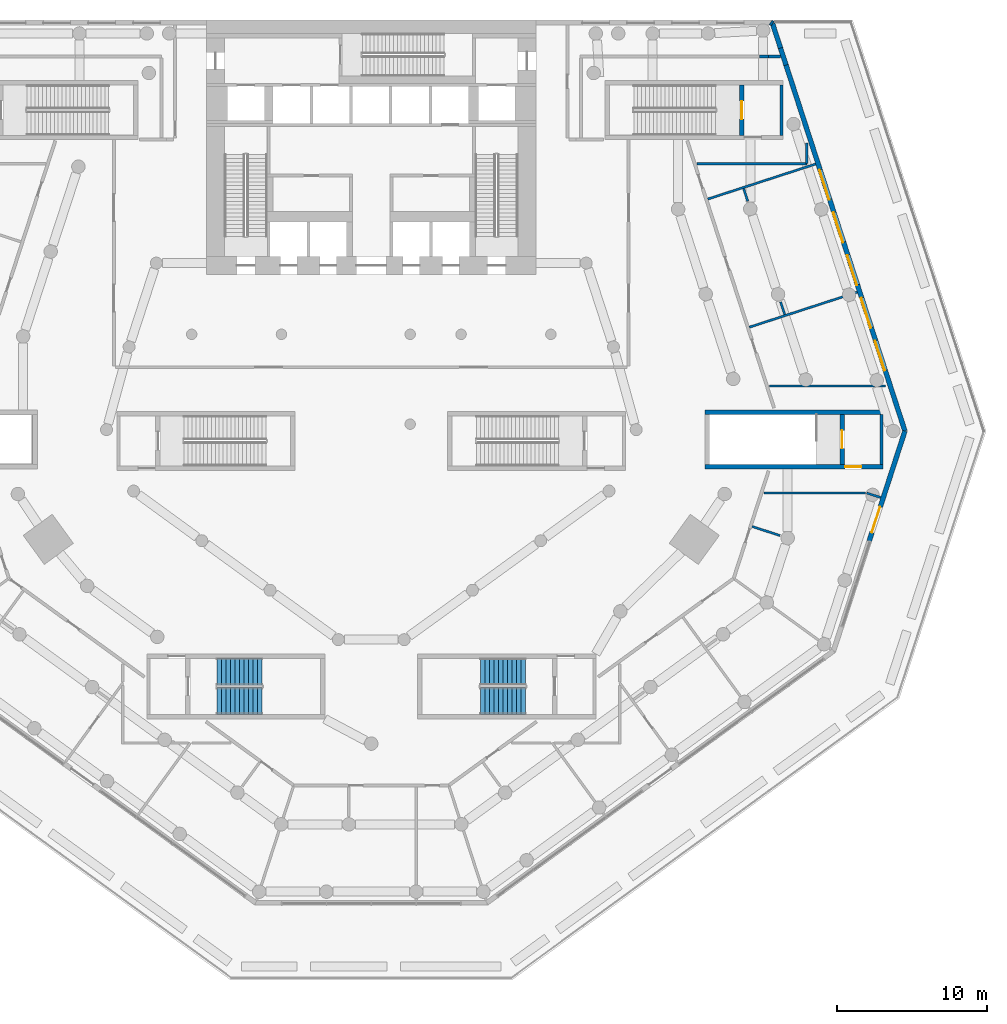
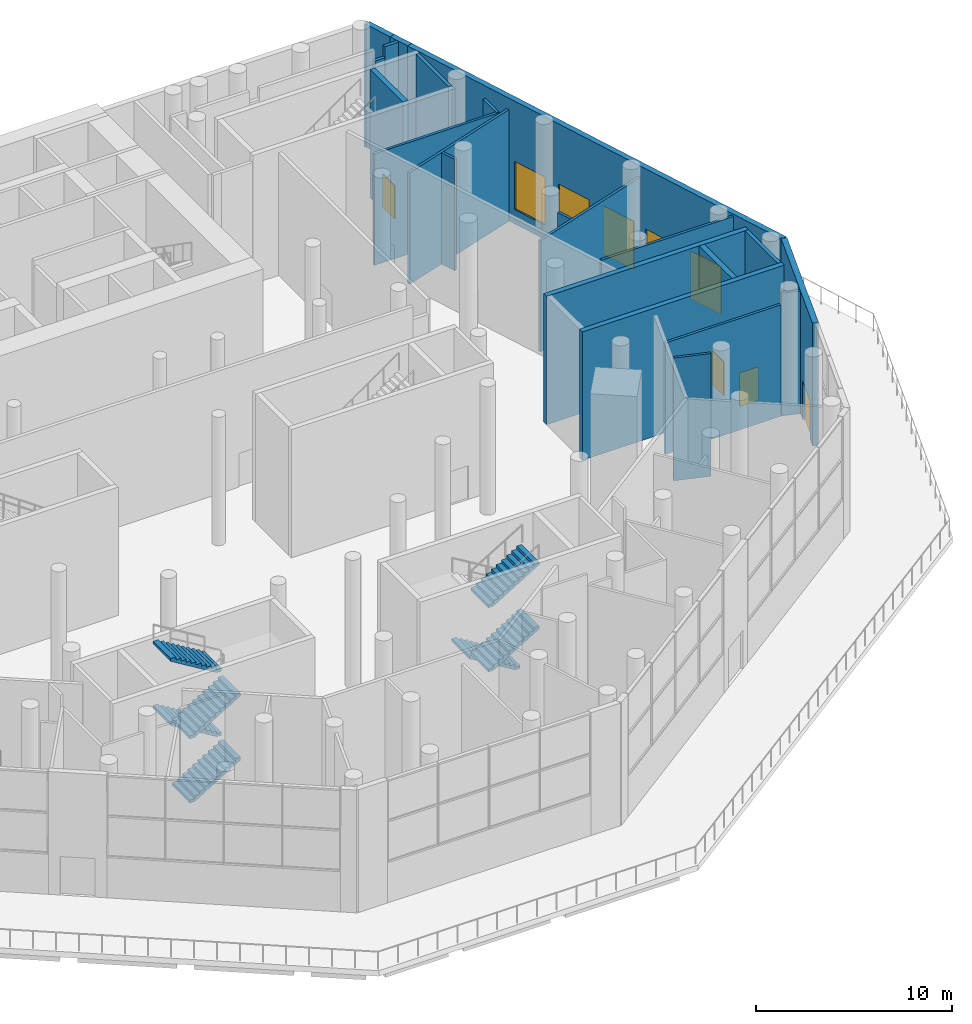
# One storey, part 16 of 23: 23 walls, 7 stair flights, 5 windows, 4 doors, 9 openings, 2 elements without a shape of their own.
"""IFC4 building model written with IfcOpenShell, lengths in metres."""

from ifc_helpers import new_model, si_unit, direction, frame, frame_2d, origin, place, context, subcontext, project, spatial, polyline, rectangle, outline, extrude, material, layer, layer_set, type_object, element, fill, aggregate, save


model = new_model("IFC4")

# Units and contexts
model_context = context("Model", 3, precision=1e-05, world=origin(), true_north=direction((0.0, 1.0)))
body_context = subcontext(model_context, "Body", "Model", "MODEL_VIEW")
ifc_project = project(units=[si_unit("LENGTHUNIT", "METRE"), si_unit("AREAUNIT", "SQUARE_METRE"), si_unit("VOLUMEUNIT", "CUBIC_METRE"), si_unit("PLANEANGLEUNIT", "RADIAN"), si_unit("MASSUNIT", "GRAM", prefix="KILO")], contexts=[model_context])

# Site, building, storey
site_placement = place(None, origin())
site = spatial("IfcSite", under=ifc_project, at=site_placement, CompositionType="ELEMENT")
building_placement = place(site_placement, origin())
building = spatial("IfcBuilding", under=site, at=building_placement, Name="White Candle Pilgrim Tower", CompositionType="ELEMENT")
storey_placement = place(building_placement, frame((0.0, 0.0, 15.0)))
storey = spatial("IfcBuildingStorey", under=building, at=storey_placement, Name="L02", CompositionType="ELEMENT", Elevation=15.0)

# Walls
ifc_material_1 = material(Name="Autoclaved aerated block D500, plastered")
ifc_layer_1 = layer(ifc_material_1, 0.199951171875)
ifc_layer_set_1 = layer_set([ifc_layer_1], Name="Compartment wall 200 mm REI 240")
wall_type_1 = type_object("IfcWallType", Name="Compartment wall 200 mm REI 240", PredefinedType="PARTITIONING", material=ifc_layer_set_1)
wall_1_placement = place(storey_placement, frame((97.326904296875, 85.550048828125, 0.0), z_axis=(0.0, 0.0, 1.0), x_axis=(-1.0, 0.0, 0.0)))
element("IfcWall", 1, at=wall_1_placement, inside=storey, type_object=wall_type_1, Name="WL-L02-P056", PredefinedType="PARTITIONING", context=body_context, shape_type="SweptSolid", body=[
    extrude(rectangle(XDim=0.79931640625, YDim=0.199951171875, at=frame_2d((0.399658203125, 0.0))), origin(), (0.0, 0.0, 1.0), 7.64990234375),
])
wall_2_placement = place(storey_placement, frame((96.527587890625, 85.550048828125, 0.0), z_axis=(0.0, 0.0, 1.0), x_axis=(-1.0, 0.0, 0.0)))
element("IfcWall", 2, at=wall_2_placement, inside=storey, type_object=wall_type_1, Name="WL-L02-P056a", PredefinedType="PARTITIONING", context=body_context, shape_type="SweptSolid", body=[
    extrude(rectangle(XDim=0.599365234375, YDim=0.199951171875, at=frame_2d((0.2998046875, 0.0))), origin(), (0.0, 0.0, 1.0), 6.949951171875),
])
ifc_material_2 = material(Name="Concrete C70/85", Category="concrete")
ifc_layer_2 = layer(ifc_material_2, 0.199951171875)
ifc_layer_set_2 = layer_set([ifc_layer_2], Name="Core wall 200 mm Concrete C70/85")
wall_type_2 = type_object("IfcWallType", Name="Core wall 200 mm Concrete C70/85", PredefinedType="SHEAR", material=ifc_layer_set_2)
for number, where, z_axis, x_axis, name in (
    (3, (104.10009765625, 58.300048828125, 0.0), (0.0, 0.0, 1.0), (0.0, 1.0, 0.0), "WL-L02-C26"),
    (4, (97.39990234375, 80.300048828125, 0.0), (0.0, 0.0, 1.0), (0.0, 1.0, 0.0), "WL-L02-C57"),
):
    element("IfcWall", number, at=place(storey_placement, frame(where, z_axis=z_axis, x_axis=x_axis)), inside=storey, type_object=wall_type_2, Name=name, PredefinedType="SHEAR", context=body_context, shape_type="SweptSolid", body=[
        extrude(rectangle(XDim=3.349853515625, YDim=0.199951171875, at=frame_2d((1.6748046875, 0.0))), origin(), (0.0, 0.0, 1.0), 8.0),
    ])

# Wall, opening, door
ifc_material_3 = material(Name="Precast concrete C40/50", Category="concrete")
ifc_layer_3 = layer(ifc_material_3, 0.320068359375)
ifc_layer_set_3 = layer_set([ifc_layer_3], Name="Facade wall EW3 precast concrete C40/50 and stone-faced podium wall")
wall_type_3 = type_object("IfcWallType", Name="Facade wall EW3 precast concrete C40/50 and stone-faced podium wall", PredefinedType="SOLIDWALL", material=ifc_layer_set_3)
wall_3_placement = place(storey_placement, frame((103.266845703125, 53.19091796875, 0.0), z_axis=(0.0, 0.0, 1.0), x_axis=(0.309033199321, 0.951051250836, 0.0)))
wall_3 = element("IfcWall", 5, at=wall_3_placement, inside=storey, type_object=wall_type_3, Name="Facade wall L02 E chamfer", PredefinedType="SOLIDWALL", context=body_context, shape_type="SweptSolid", body=[
    extrude(rectangle(XDim=7.726318359375, YDim=0.320068359375, at=frame_2d((3.86328125, 0.0))), origin(), (0.0, 0.0, 1.0), 7.64990234375),
])
opening_1_placement = place(wall_3_placement, frame((0.60009765625, 0.0, 0.0)))
opening_1 = element("IfcOpeningElement", 6, at=opening_1_placement, cuts=wall_3, Name="Opening L02-923", PredefinedType="OPENING", context=body_context, shape_type="SweptSolid", body=[
    extrude(rectangle(XDim=1.800048828125, YDim=2.39990234375, at=frame_2d((0.89990234375, 1.199951171875))), frame((0.0, 0.169921875, 0.0), z_axis=(0.0, -1.0, 0.0), x_axis=(1.0, 0.0, 0.0)), (0.0, 0.0, 1.0), 0.340087890625),
])
ifc_material_4 = material(Name="Timber frame with laminated glazing", Category="wood")
door_type_1 = type_object("IfcDoorType", Name="Terrace door EN4 1800x2400 double leaf glazed", OperationType="DOUBLE_DOOR_DOUBLE_SWING", PredefinedType="DOOR", material=ifc_material_4)
door_1_placement = place(opening_1_placement, origin())
door_1 = element("IfcDoor", 7, at=door_1_placement, inside=storey, type_object=door_type_1, Name="Door L02 E chamfer 3", OperationType="DOUBLE_DOOR_DOUBLE_SWING", OverallHeight=2.39990234375, OverallWidth=1.800048828125, PredefinedType="DOOR", context=body_context, shape_type="SweptSolid", body=[
    extrude(rectangle(XDim=1.800048828125, YDim=2.39990234375, at=frame_2d((0.89990234375, 1.199951171875))), frame((0.0, 0.0400390625, 0.0), z_axis=(0.0, -1.0, 0.0), x_axis=(1.0, 0.0, 0.0)), (0.0, 0.0, 1.0), 0.050048828125),
])
fill(opening_1, door_1)

# Wall, openings, windows
wall_4_placement = place(storey_placement, frame((105.654541015625, 60.5390625, 0.0), z_axis=(0.0, 0.0, 1.0), x_axis=(-0.309020996945, 0.951055215772, 0.0)))
wall_4 = element("IfcWall", 8, at=wall_4_placement, inside=storey, type_object=wall_type_3, Name="Facade wall L02 ENE", PredefinedType="SOLIDWALL", context=body_context, shape_type="SweptSolid", body=[
    extrude(rectangle(XDim=25.7041015625, YDim=0.320068359375, at=frame_2d((12.85205078125, 0.0))), origin(), (0.0, 0.0, 1.0), 7.64990234375),
])
opening_2_placement = place(wall_4_placement, frame((4.25927734375, 0.0, 0.89990234375)))
opening_2 = element("IfcOpeningElement", 9, at=opening_2_placement, cuts=wall_4, Name="Opening W7", PredefinedType="OPENING", context=body_context, shape_type="SweptSolid", body=[
    extrude(rectangle(XDim=2.10009765625, YDim=3.0, at=frame_2d((1.050048828125, 1.5))), frame((0.0, 0.169921875, 0.0), z_axis=(0.0, -1.0, 0.0), x_axis=(1.0, 0.0, 0.0)), (0.0, 0.0, 1.0), 0.340087890625),
])
opening_3_placement = place(wall_4_placement, frame((7.25927734375, 0.0, 0.89990234375)))
opening_3 = element("IfcOpeningElement", 10, at=opening_3_placement, cuts=wall_4, Name="Opening W7", PredefinedType="OPENING", context=body_context, shape_type="SweptSolid", body=[
    extrude(rectangle(XDim=2.10009765625, YDim=3.0, at=frame_2d((1.050048828125, 1.5))), frame((0.0, 0.169921875, 0.0), z_axis=(0.0, -1.0, 0.0), x_axis=(1.0, 0.0, 0.0)), (0.0, 0.0, 1.0), 0.340087890625),
])
opening_4_placement = place(wall_4_placement, frame((10.25927734375, 0.0, 0.89990234375)))
opening_4 = element("IfcOpeningElement", 11, at=opening_4_placement, cuts=wall_4, Name="Opening W7", PredefinedType="OPENING", context=body_context, shape_type="SweptSolid", body=[
    extrude(rectangle(XDim=2.10009765625, YDim=3.0, at=frame_2d((1.050048828125, 1.5))), frame((0.0, 0.169921875, 0.0), z_axis=(0.0, -1.0, 0.0), x_axis=(1.0, 0.0, 0.0)), (0.0, 0.0, 1.0), 0.340087890625),
])
opening_5_placement = place(wall_4_placement, frame((13.25927734375, 0.0, 0.89990234375)))
opening_5 = element("IfcOpeningElement", 12, at=opening_5_placement, cuts=wall_4, Name="Opening W7", PredefinedType="OPENING", context=body_context, shape_type="SweptSolid", body=[
    extrude(rectangle(XDim=2.10009765625, YDim=3.0, at=frame_2d((1.050048828125, 1.5))), frame((0.0, 0.169921875, 0.0), z_axis=(0.0, -1.0, 0.0), x_axis=(1.0, 0.0, 0.0)), (0.0, 0.0, 1.0), 0.340087890625),
])
opening_6_placement = place(wall_4_placement, frame((16.25927734375, 0.0, 0.89990234375)))
opening_6 = element("IfcOpeningElement", 13, at=opening_6_placement, cuts=wall_4, Name="Opening W7", PredefinedType="OPENING", context=body_context, shape_type="SweptSolid", body=[
    extrude(rectangle(XDim=2.10009765625, YDim=3.0, at=frame_2d((1.050048828125, 1.5))), frame((0.0, 0.169921875, 0.0), z_axis=(0.0, -1.0, 0.0), x_axis=(1.0, 0.0, 0.0)), (0.0, 0.0, 1.0), 0.340087890625),
])
ifc_material_5 = material(Name="Timber frame with triple glazing", Category="wood")
window_type = type_object("IfcWindowType", Name="Window W7 2100x3000 timber frame triple glazing", PartitioningType="SINGLE_PANEL", PredefinedType="WINDOW", material=ifc_material_5)
window_1_placement = place(opening_2_placement, origin())
window_1 = element("IfcWindow", 14, at=window_1_placement, inside=storey, type_object=window_type, Name="Window W7 L02 ENE 2", OverallHeight=3.0, OverallWidth=2.10009765625, PartitioningType="SINGLE_PANEL", PredefinedType="WINDOW", context=body_context, shape_type="SweptSolid", body=[
    extrude(rectangle(XDim=2.10009765625, YDim=3.0, at=frame_2d((1.050048828125, 1.5))), frame((0.0, 0.070068359375, 0.0), z_axis=(0.0, -1.0, 0.0), x_axis=(1.0, 0.0, 0.0)), (0.0, 0.0, 1.0), 0.06005859375),
])
fill(opening_2, window_1)
window_2_placement = place(opening_3_placement, origin())
window_2 = element("IfcWindow", 15, at=window_2_placement, inside=storey, type_object=window_type, Name="Window W7 L02 ENE 3", OverallHeight=3.0, OverallWidth=2.10009765625, PartitioningType="SINGLE_PANEL", PredefinedType="WINDOW", context=body_context, shape_type="SweptSolid", body=[
    extrude(rectangle(XDim=2.10009765625, YDim=3.0, at=frame_2d((1.050048828125, 1.5))), frame((0.0, 0.070068359375, 0.0), z_axis=(0.0, -1.0, 0.0), x_axis=(1.0, 0.0, 0.0)), (0.0, 0.0, 1.0), 0.06005859375),
])
fill(opening_3, window_2)
window_3_placement = place(opening_4_placement, origin())
window_3 = element("IfcWindow", 16, at=window_3_placement, inside=storey, type_object=window_type, Name="Window W7 L02 ENE 4", OverallHeight=3.0, OverallWidth=2.10009765625, PartitioningType="SINGLE_PANEL", PredefinedType="WINDOW", context=body_context, shape_type="SweptSolid", body=[
    extrude(rectangle(XDim=2.10009765625, YDim=3.0, at=frame_2d((1.050048828125, 1.5))), frame((0.0, 0.070068359375, 0.0), z_axis=(0.0, -1.0, 0.0), x_axis=(1.0, 0.0, 0.0)), (0.0, 0.0, 1.0), 0.06005859375),
])
fill(opening_4, window_3)
window_4_placement = place(opening_5_placement, origin())
window_4 = element("IfcWindow", 17, at=window_4_placement, inside=storey, type_object=window_type, Name="Window W7 L02 ENE 5", OverallHeight=3.0, OverallWidth=2.10009765625, PartitioningType="SINGLE_PANEL", PredefinedType="WINDOW", context=body_context, shape_type="SweptSolid", body=[
    extrude(rectangle(XDim=2.10009765625, YDim=3.0, at=frame_2d((1.050048828125, 1.5))), frame((0.0, 0.070068359375, 0.0), z_axis=(0.0, -1.0, 0.0), x_axis=(1.0, 0.0, 0.0)), (0.0, 0.0, 1.0), 0.06005859375),
])
fill(opening_5, window_4)
window_5_placement = place(opening_6_placement, origin())
window_5 = element("IfcWindow", 18, at=window_5_placement, inside=storey, type_object=window_type, Name="Window W7 L02 ENE 6", OverallHeight=3.0, OverallWidth=2.10009765625, PartitioningType="SINGLE_PANEL", PredefinedType="WINDOW", context=body_context, shape_type="SweptSolid", body=[
    extrude(rectangle(XDim=2.10009765625, YDim=3.0, at=frame_2d((1.050048828125, 1.5))), frame((0.0, 0.070068359375, 0.0), z_axis=(0.0, -1.0, 0.0), x_axis=(1.0, 0.0, 0.0)), (0.0, 0.0, 1.0), 0.06005859375),
])
fill(opening_6, window_5)

# Walls
wall_5_placement = place(storey_placement, frame((97.3408203125, 86.12646484375, 0.0), z_axis=(0.0, 0.0, 1.0), x_axis=(-0.309127927673, 0.951020464729, 0.0)))
element("IfcWall", 19, at=wall_5_placement, inside=storey, type_object=wall_type_3, Name="Facade wall L02 ENE", PredefinedType="SOLIDWALL", context=body_context, shape_type="SweptSolid", body=[
    extrude(rectangle(XDim=1.714599609375, YDim=0.320068359375, at=frame_2d((0.857421875, 0.0))), origin(), (0.0, 0.0, 1.0), 7.64990234375),
])
wall_6_placement = place(storey_placement, frame((96.810791015625, 87.757080078125, 0.0), z_axis=(0.0, 0.0, 1.0), x_axis=(-0.808436541228, 0.588583349074, 0.0)))
element("IfcWall", 20, at=wall_6_placement, inside=storey, type_object=wall_type_3, Name="Facade wall L02 NE chamfer", PredefinedType="SOLIDWALL", context=body_context, shape_type="SweptSolid", body=[
    extrude(rectangle(XDim=0.14111328125, YDim=0.320068359375, at=frame_2d((0.070556640625, 0.0))), origin(), (0.0, 0.0, 1.0), 7.64990234375),
])
ifc_layer_4 = layer(ifc_material_3, 0.320068359375)
ifc_layer_set_4 = layer_set([ifc_layer_4], Name="Facade wall EW9 precast concrete C40/50 compartment junction wall EI 120")
wall_type_4 = type_object("IfcWallType", Name="Facade wall EW9 precast concrete C40/50 compartment junction wall EI 120", PredefinedType="SOLIDWALL", material=ifc_layer_set_4)
wall_7_placement = place(storey_placement, frame((97.71142578125, 84.985107421875, 0.0), z_axis=(0.0, 0.0, 1.0), x_axis=(-0.308833046066, 0.951116265058, 0.0)))
element("IfcWall", 21, at=wall_7_placement, inside=storey, type_object=wall_type_4, Name="Facade wall L02 ENE", PredefinedType="SOLIDWALL", context=body_context, shape_type="SweptSolid", body=[
    extrude(rectangle(XDim=1.199951171875, YDim=0.320068359375, at=frame_2d((0.60009765625, 0.0))), origin(), (0.0, 0.0, 1.0), 7.64990234375),
])
ifc_material_6 = material(Name="Gypsum board on steel studs", Category="steel")
ifc_layer_5 = layer(ifc_material_6, 0.14990234375)
ifc_layer_set_5 = layer_set([ifc_layer_5], Name="Partition 150 mm EI 60")
wall_type_5 = type_object("IfcWallType", Name="Partition 150 mm EI 60", PredefinedType="PARTITIONING", material=ifc_layer_set_5)
wall_8_placement = place(storey_placement, frame((104.041748046875, 56.093505859375, 0.0), z_axis=(0.0, 0.0, 1.0), x_axis=(-0.951068438916, 0.308980297913, 0.0)))
element("IfcWall", 22, at=wall_8_placement, inside=storey, type_object=wall_type_5, Name="WL-L02-P028", PredefinedType="PARTITIONING", context=body_context, shape_type="SweptSolid", body=[
    extrude(rectangle(XDim=0.99169921875, YDim=0.14990234375, at=frame_2d((0.495849609375, 0.0))), origin(), (0.0, 0.0, 1.0), 7.64990234375),
])
for number, where, z_axis, x_axis, name in (
    (23, (102.47119140625, 69.81884765625, 0.0), (0.0, 0.0, 1.0), (-0.951058681979, -0.309010329007, 0.0), "WL-L02-P029"),
    (24, (99.68994140625, 78.37841796875, 0.0), (0.0, 0.0, 1.0), (-0.951058681979, -0.309010329007, 0.0), "WL-L02-P030"),
):
    element("IfcWall", number, at=place(storey_placement, frame(where, z_axis=z_axis, x_axis=x_axis)), inside=storey, type_object=wall_type_5, Name=name, PredefinedType="PARTITIONING", context=body_context, shape_type="SweptSolid", body=[
        extrude(rectangle(XDim=7.580078125, YDim=0.14990234375, at=frame_2d((3.7900390625, 0.0))), origin(), (0.0, 0.0, 1.0), 6.949951171875),
    ])
wall_9_placement = place(storey_placement, frame((97.307861328125, 53.55517578125, 0.0), z_axis=(0.0, 0.0, 1.0), x_axis=(-0.951047798727, 0.309043823005, 0.0)))
element("IfcWall", 25, at=wall_9_placement, inside=storey, type_object=wall_type_5, Name="WL-L02-P041", PredefinedType="PARTITIONING", context=body_context, shape_type="SweptSolid", body=[
    extrude(rectangle(XDim=1.9599609375, YDim=0.14990234375, at=frame_2d((0.97998046875, 0.0))), origin(), (0.0, 0.0, 1.0), 7.64990234375),
])
wall_10_placement = place(storey_placement, frame((97.34716796875, 69.163818359375, 0.0), z_axis=(0.0, 0.0, 1.0), x_axis=(0.309104777097, -0.951027989481, 0.0)))
element("IfcWall", 26, at=wall_10_placement, inside=storey, type_object=wall_type_5, Name="WL-L02-P042", PredefinedType="PARTITIONING", context=body_context, shape_type="SweptSolid", body=[
    extrude(rectangle(XDim=0.885498046875, YDim=0.14990234375, at=frame_2d((0.44287109375, 0.0))), origin(), (0.0, 0.0, 1.0), 6.949951171875),
])
wall_11_placement = place(storey_placement, frame((95.15087890625, 75.89404296875, 0.0), z_axis=(0.0, 0.0, 1.0), x_axis=(-0.308936377944, 0.951082706384, 0.0)))
element("IfcWall", 27, at=wall_11_placement, inside=storey, type_object=wall_type_5, Name="WL-L02-P043", PredefinedType="PARTITIONING", context=body_context, shape_type="SweptSolid", body=[
    extrude(rectangle(XDim=0.885009765625, YDim=0.14990234375, at=frame_2d((0.4423828125, 0.0))), origin(), (0.0, 0.0, 1.0), 6.949951171875),
])
wall_12_placement = place(storey_placement, frame((99.10009765625, 78.39990234375, 0.0), z_axis=(0.0, 0.0, 1.0), x_axis=(0.0, 1.0, 0.0)))
element("IfcWall", 28, at=wall_12_placement, inside=storey, type_object=wall_type_5, Name="WL-L02-P058", PredefinedType="PARTITIONING", context=body_context, shape_type="SweptSolid", body=[
    extrude(rectangle(XDim=1.37353515625, YDim=0.14990234375, at=frame_2d((0.686767578125, 0.0))), origin(), (0.0, 0.0, 1.0), 6.949951171875),
])
wall_13_placement = place(storey_placement, frame((91.77587890625, 78.39990234375, 0.0), z_axis=(0.0, 0.0, 1.0), x_axis=(1.0, 0.0, 0.0)))
element("IfcWall", 29, at=wall_13_placement, inside=storey, type_object=wall_type_5, Name="WL-L02-P059", PredefinedType="PARTITIONING", context=body_context, shape_type="SweptSolid", body=[
    extrude(rectangle(XDim=7.32421875, YDim=0.14990234375, at=frame_2d((3.662109375, 0.0))), origin(), (0.0, 0.0, 1.0), 6.949951171875),
])
wall_14_placement = place(storey_placement, frame((104.371337890625, 63.550048828125, 0.0), z_axis=(0.0, 0.0, 1.0), x_axis=(-1.0, 0.0, 0.0)))
element("IfcWall", 30, at=wall_14_placement, inside=storey, type_object=wall_type_5, Name="WL-L02-P060", PredefinedType="PARTITIONING", context=body_context, shape_type="SweptSolid", body=[
    extrude(rectangle(XDim=7.770263671875, YDim=0.14990234375, at=frame_2d((3.88525390625, 0.0))), origin(), (0.0, 0.0, 1.0), 7.64990234375),
])
wall_15_placement = place(storey_placement, frame((96.234375, 56.39990234375, 0.0), z_axis=(0.0, 0.0, 1.0), x_axis=(1.0, 0.0, 0.0)))
element("IfcWall", 31, at=wall_15_placement, inside=storey, type_object=wall_type_5, Name="WL-L02-P061", PredefinedType="PARTITIONING", context=body_context, shape_type="SweptSolid", body=[
    extrude(rectangle(XDim=6.801025390625, YDim=0.14990234375, at=frame_2d((3.400390625, 0.0))), origin(), (0.0, 0.0, 1.0), 6.949951171875),
])

# Wall, opening, door
ifc_layer_6 = layer(ifc_material_2, 0.300048828125)
ifc_layer_set_6 = layer_set([ifc_layer_6], Name="Stair shaft wall 300 mm Concrete C70/85")
wall_type_6 = type_object("IfcWallType", Name="Stair shaft wall 300 mm Concrete C70/85", PredefinedType="SHEAR", material=ifc_layer_set_6)
wall_16_placement = place(storey_placement, frame((92.300048828125, 58.14990234375, 0.0), z_axis=(0.0, 0.0, 1.0), x_axis=(1.0, 0.0, 0.0)))
wall_16 = element("IfcWall", 32, at=wall_16_placement, inside=storey, type_object=wall_type_6, Name="WL-L02-C14", PredefinedType="SHEAR", context=body_context, shape_type="SweptSolid", body=[
    extrude(rectangle(XDim=11.89990234375, YDim=0.300048828125, at=frame_2d((5.949951171875, 0.0))), origin(), (0.0, 0.0, 1.0), 8.0),
])
opening_7_placement = place(wall_16_placement, frame((9.35009765625, 0.0, 0.0)))
opening_7 = element("IfcOpeningElement", 33, at=opening_7_placement, cuts=wall_16, Name="Opening L02-017", PredefinedType="OPENING", context=body_context, shape_type="SweptSolid", body=[
    extrude(rectangle(XDim=1.10009765625, YDim=2.10009765625, at=frame_2d((0.550048828125, 1.050048828125))), frame((0.0, 0.159912109375, 0.0), z_axis=(0.0, -1.0, 0.0), x_axis=(1.0, 0.0, 0.0)), (0.0, 0.0, 1.0), 0.320068359375),
])
ifc_material_7 = material(Name="Steel door leaf", Category="steel")
door_type_2 = type_object("IfcDoorType", Name="Fire door 1100 x 2100 EI 60", OperationType="NOTDEFINED", PredefinedType="DOOR", material=ifc_material_7)
door_2_placement = place(opening_7_placement, origin())
door_2 = element("IfcDoor", 34, at=door_2_placement, inside=storey, type_object=door_type_2, Name="Door L02-017", OperationType="SINGLE_SWING_LEFT", OverallHeight=2.10009765625, OverallWidth=1.10009765625, PredefinedType="DOOR", context=body_context, shape_type="SweptSolid", body=[
    extrude(rectangle(XDim=1.10009765625, YDim=2.10009765625, at=frame_2d((0.550048828125, 1.050048828125))), frame((0.0, 0.02490234375, 0.0), z_axis=(0.0, -1.0, 0.0), x_axis=(1.0, 0.0, 0.0)), (0.0, 0.0, 1.0), 0.050048828125),
])
fill(opening_7, door_2)

wall_17_placement = place(storey_placement, frame((101.449951171875, 58.300048828125, 0.0), z_axis=(0.0, 0.0, 1.0), x_axis=(0.0, 1.0, 0.0)))
wall_17 = element("IfcWall", 35, at=wall_17_placement, inside=storey, type_object=wall_type_6, Name="WL-L02-C25", PredefinedType="SHEAR", context=body_context, shape_type="SweptSolid", body=[
    extrude(rectangle(XDim=3.349853515625, YDim=0.300048828125, at=frame_2d((1.6748046875, 0.0))), origin(), (0.0, 0.0, 1.0), 8.0),
])
opening_8_placement = place(wall_17_placement, frame((1.074951171875, 0.0, 0.0)))
opening_8 = element("IfcOpeningElement", 36, at=opening_8_placement, cuts=wall_17, Name="Opening L02-018", PredefinedType="OPENING", context=body_context, shape_type="SweptSolid", body=[
    extrude(rectangle(XDim=1.199951171875, YDim=2.10009765625, at=frame_2d((0.60009765625, 1.050048828125))), frame((0.0, 0.159912109375, 0.0), z_axis=(0.0, -1.0, 0.0), x_axis=(1.0, 0.0, 0.0)), (0.0, 0.0, 1.0), 0.320068359375),
])
door_type_3 = type_object("IfcDoorType", Name="Fire door 1200 x 2100 EI 60", OperationType="NOTDEFINED", PredefinedType="DOOR", material=ifc_material_7)
door_3_placement = place(opening_8_placement, origin())
door_3 = element("IfcDoor", 37, at=door_3_placement, inside=storey, type_object=door_type_3, Name="Door L02-018", OperationType="SINGLE_SWING_RIGHT", OverallHeight=2.10009765625, OverallWidth=1.199951171875, PredefinedType="DOOR", context=body_context, shape_type="SweptSolid", body=[
    extrude(rectangle(XDim=1.199951171875, YDim=2.10009765625, at=frame_2d((0.60009765625, 1.050048828125))), frame((0.0, 0.02490234375, 0.0), z_axis=(0.0, -1.0, 0.0), x_axis=(1.0, 0.0, 0.0)), (0.0, 0.0, 1.0), 0.050048828125),
])
fill(opening_8, door_3)

# Wall
wall_18_placement = place(storey_placement, frame((92.300048828125, 61.800048828125, 0.0), z_axis=(0.0, 0.0, 1.0), x_axis=(1.0, 0.0, 0.0)))
element("IfcWall", 38, at=wall_18_placement, inside=storey, type_object=wall_type_6, Name="WL-L02-C30", PredefinedType="SHEAR", context=body_context, shape_type="SweptSolid", body=[
    extrude(rectangle(XDim=11.89990234375, YDim=0.300048828125, at=frame_2d((5.949951171875, 0.0))), origin(), (0.0, 0.0, 1.0), 8.0),
])

# Wall, opening, door
wall_19_placement = place(storey_placement, frame((94.75, 80.300048828125, 0.0), z_axis=(0.0, 0.0, 1.0), x_axis=(0.0, 1.0, 0.0)))
wall_19 = element("IfcWall", 39, at=wall_19_placement, inside=storey, type_object=wall_type_6, Name="WL-L02-C56", PredefinedType="SHEAR", context=body_context, shape_type="SweptSolid", body=[
    extrude(rectangle(XDim=3.349853515625, YDim=0.300048828125, at=frame_2d((1.6748046875, 0.0))), origin(), (0.0, 0.0, 1.0), 8.0),
])
opening_9_placement = place(wall_19_placement, frame((1.074951171875, 0.0, 0.0)))
opening_9 = element("IfcOpeningElement", 40, at=opening_9_placement, cuts=wall_19, Name="Opening L02-022", PredefinedType="OPENING", context=body_context, shape_type="SweptSolid", body=[
    extrude(rectangle(XDim=1.199951171875, YDim=2.10009765625, at=frame_2d((0.60009765625, 1.050048828125))), frame((0.0, 0.159912109375, 0.0), z_axis=(0.0, -1.0, 0.0), x_axis=(1.0, 0.0, 0.0)), (0.0, 0.0, 1.0), 0.320068359375),
])
door_4_placement = place(opening_9_placement, origin())
door_4 = element("IfcDoor", 41, at=door_4_placement, inside=storey, type_object=door_type_3, Name="Door L02-022", OperationType="SINGLE_SWING_RIGHT", OverallHeight=2.10009765625, OverallWidth=1.199951171875, PredefinedType="DOOR", context=body_context, shape_type="SweptSolid", body=[
    extrude(rectangle(XDim=1.199951171875, YDim=2.10009765625, at=frame_2d((0.60009765625, 1.050048828125))), frame((0.0, 0.02490234375, 0.0), z_axis=(0.0, -1.0, 0.0), x_axis=(1.0, 0.0, 0.0)), (0.0, 0.0, 1.0), 0.050048828125),
])
fill(opening_9, door_4)

# Stair, stair flights
ifc_material_8 = material(Name="Concrete C40/50", Category="concrete")
stair_type_1 = type_object("IfcStairType", Name="Exit stair 6 flight width 1800 mm", PredefinedType="HALF_TURN_STAIR", material=ifc_material_8)
stair_1_placement = place(storey_placement, origin())
stair_1 = element("IfcStair", 42, at=stair_1_placement, inside=storey, type_object=stair_type_1, Name="L02 stair 6", PredefinedType="NOTDEFINED")
ifc_layer_7 = layer(ifc_material_8, 0.14990234375)
ifc_layer_set_7 = layer_set([ifc_layer_7], Name="Stair flight Concrete C40/50")
stair_flight_type = type_object("IfcStairFlightType", Name="Stair flight Concrete C40/50", PredefinedType="STRAIGHT", material=ifc_layer_set_7)
stair_flight_1_placement = place(storey_placement, frame((59.699951171875, 42.5, 0.0), z_axis=(0.0, 0.0, 1.0), x_axis=(1.0, 0.0, 0.0)))
stair_flight_1 = element("IfcStairFlight", 43, at=stair_flight_1_placement, type_object=stair_flight_type, Name="ST6 flight 1", NumberOfRisers=11, NumberOfTreads=10, PredefinedType="NOTDEFINED", RiserHeight=0.181818182, TreadLength=0.3, context=body_context, shape_type="SweptSolid", body=[
    extrude(outline(polyline([(0.0, 0.0), (0.0, 0.181884765625), (0.300048828125, 0.181884765625), (0.300048828125, 0.363525390625), (0.60009765625, 0.363525390625), (0.60009765625, 0.54541015625), (0.89990234375, 0.54541015625), (0.89990234375, 0.727294921875), (1.199951171875, 0.727294921875), (1.199951171875, 0.9091796875), (1.5, 0.9091796875), (1.5, 1.0908203125), (1.800048828125, 1.0908203125), (1.800048828125, 1.272705078125), (2.10009765625, 1.272705078125), (2.10009765625, 1.45458984375), (2.39990234375, 1.45458984375), (2.39990234375, 1.636474609375), (2.699951171875, 1.636474609375), (2.699951171875, 1.818115234375), (3.0, 1.818115234375), (3.0, 2.0), (3.0, 1.642822265625), (0.289306640625, 0.0), (0.0, 0.0)])), frame((0.0, 0.89990234375, 0.0), z_axis=(0.0, -1.0, 0.0), x_axis=(1.0, 0.0, 0.0)), (0.0, 0.0, 1.0), 1.800048828125),
])
stair_flight_2_placement = place(storey_placement, frame((62.699951171875, 44.449951171875, 2.0), z_axis=(0.0, 0.0, 1.0), x_axis=(-1.0, 0.0, 0.0)))
stair_flight_2 = element("IfcStairFlight", 44, at=stair_flight_2_placement, type_object=stair_flight_type, Name="ST6 flight 2", NumberOfRisers=11, NumberOfTreads=10, PredefinedType="NOTDEFINED", RiserHeight=0.181818182, TreadLength=0.3, context=body_context, shape_type="SweptSolid", body=[
    extrude(outline(polyline([(0.0, 0.0), (0.0, 0.181884765625), (0.300048828125, 0.181884765625), (0.300048828125, 0.363525390625), (0.60009765625, 0.363525390625), (0.60009765625, 0.54541015625), (0.89990234375, 0.54541015625), (0.89990234375, 0.727294921875), (1.199951171875, 0.727294921875), (1.199951171875, 0.9091796875), (1.5, 0.9091796875), (1.5, 1.0908203125), (1.800048828125, 1.0908203125), (1.800048828125, 1.272705078125), (2.10009765625, 1.272705078125), (2.10009765625, 1.45458984375), (2.39990234375, 1.45458984375), (2.39990234375, 1.636474609375), (2.699951171875, 1.636474609375), (2.699951171875, 1.818115234375), (3.0, 1.818115234375), (3.0, 2.0), (3.0, 1.642822265625), (0.289306640625, 0.0), (0.0, 0.0)])), frame((0.0, 0.89990234375, 0.0), z_axis=(0.0, -1.0, 0.0), x_axis=(1.0, 0.0, 0.0)), (0.0, 0.0, 1.0), 1.800048828125),
])
stair_flight_3_placement = place(storey_placement, frame((59.699951171875, 42.5, 4.0), z_axis=(0.0, 0.0, 1.0), x_axis=(1.0, 0.0, 0.0)))
stair_flight_3 = element("IfcStairFlight", 45, at=stair_flight_3_placement, type_object=stair_flight_type, Name="ST6 flight 3", NumberOfRisers=11, NumberOfTreads=10, PredefinedType="NOTDEFINED", RiserHeight=0.181818182, TreadLength=0.3, context=body_context, shape_type="SweptSolid", body=[
    extrude(outline(polyline([(0.0, 0.0), (0.0, 0.181884765625), (0.300048828125, 0.181884765625), (0.300048828125, 0.363525390625), (0.60009765625, 0.363525390625), (0.60009765625, 0.54541015625), (0.89990234375, 0.54541015625), (0.89990234375, 0.727294921875), (1.199951171875, 0.727294921875), (1.199951171875, 0.9091796875), (1.5, 0.9091796875), (1.5, 1.0908203125), (1.800048828125, 1.0908203125), (1.800048828125, 1.272705078125), (2.10009765625, 1.272705078125), (2.10009765625, 1.45458984375), (2.39990234375, 1.45458984375), (2.39990234375, 1.636474609375), (2.699951171875, 1.636474609375), (2.699951171875, 1.818115234375), (3.0, 1.818115234375), (3.0, 2.0), (3.0, 1.642822265625), (0.289306640625, 0.0), (0.0, 0.0)])), frame((0.0, 0.89990234375, 0.0), z_axis=(0.0, -1.0, 0.0), x_axis=(1.0, 0.0, 0.0)), (0.0, 0.0, 1.0), 1.800048828125),
])
stair_flight_4_placement = place(storey_placement, frame((62.699951171875, 44.449951171875, 6.0), z_axis=(0.0, 0.0, 1.0), x_axis=(-1.0, 0.0, 0.0)))
stair_flight_4 = element("IfcStairFlight", 46, at=stair_flight_4_placement, type_object=stair_flight_type, Name="ST6 flight 4", NumberOfRisers=11, NumberOfTreads=10, PredefinedType="NOTDEFINED", RiserHeight=0.181818182, TreadLength=0.3, context=body_context, shape_type="SweptSolid", body=[
    extrude(outline(polyline([(0.0, 0.0), (0.0, 0.181884765625), (0.300048828125, 0.181884765625), (0.300048828125, 0.363525390625), (0.60009765625, 0.363525390625), (0.60009765625, 0.54541015625), (0.89990234375, 0.54541015625), (0.89990234375, 0.727294921875), (1.199951171875, 0.727294921875), (1.199951171875, 0.9091796875), (1.5, 0.9091796875), (1.5, 1.0908203125), (1.800048828125, 1.0908203125), (1.800048828125, 1.272705078125), (2.10009765625, 1.272705078125), (2.10009765625, 1.45458984375), (2.39990234375, 1.45458984375), (2.39990234375, 1.636474609375), (2.699951171875, 1.636474609375), (2.699951171875, 1.818115234375), (3.0, 1.818115234375), (3.0, 2.0), (3.0, 1.642822265625), (0.289306640625, 0.0), (0.0, 0.0)])), frame((0.0, 0.89990234375, 0.0), z_axis=(0.0, -1.0, 0.0), x_axis=(1.0, 0.0, 0.0)), (0.0, 0.0, 1.0), 1.800048828125),
])
aggregate(stair_1, [stair_flight_1, stair_flight_2, stair_flight_3, stair_flight_4])

stair_type_2 = type_object("IfcStairType", Name="Exit stair 7 flight width 1800 mm", PredefinedType="HALF_TURN_STAIR", material=ifc_material_8)
stair_2_placement = place(storey_placement, origin())
stair_2 = element("IfcStair", 47, at=stair_2_placement, inside=storey, type_object=stair_type_2, Name="L02 stair 7", PredefinedType="NOTDEFINED")
stair_flight_5_placement = place(storey_placement, frame((80.300048828125, 44.449951171875, 0.0), z_axis=(0.0, 0.0, 1.0), x_axis=(-1.0, 0.0, 0.0)))
stair_flight_5 = element("IfcStairFlight", 48, at=stair_flight_5_placement, type_object=stair_flight_type, Name="ST7 flight 1", NumberOfRisers=11, NumberOfTreads=10, PredefinedType="NOTDEFINED", RiserHeight=0.181818182, TreadLength=0.3, context=body_context, shape_type="SweptSolid", body=[
    extrude(outline(polyline([(0.0, 0.0), (0.0, 0.181884765625), (0.300048828125, 0.181884765625), (0.300048828125, 0.363525390625), (0.60009765625, 0.363525390625), (0.60009765625, 0.54541015625), (0.89990234375, 0.54541015625), (0.89990234375, 0.727294921875), (1.199951171875, 0.727294921875), (1.199951171875, 0.9091796875), (1.5, 0.9091796875), (1.5, 1.0908203125), (1.800048828125, 1.0908203125), (1.800048828125, 1.272705078125), (2.10009765625, 1.272705078125), (2.10009765625, 1.45458984375), (2.39990234375, 1.45458984375), (2.39990234375, 1.636474609375), (2.699951171875, 1.636474609375), (2.699951171875, 1.818115234375), (3.0, 1.818115234375), (3.0, 2.0), (3.0, 1.642822265625), (0.289306640625, 0.0), (0.0, 0.0)])), frame((0.0, 0.89990234375, 0.0), z_axis=(0.0, -1.0, 0.0), x_axis=(1.0, 0.0, 0.0)), (0.0, 0.0, 1.0), 1.800048828125),
])
stair_flight_6_placement = place(storey_placement, frame((77.300048828125, 42.5, 2.0), z_axis=(0.0, 0.0, 1.0), x_axis=(1.0, 0.0, 0.0)))
stair_flight_6 = element("IfcStairFlight", 49, at=stair_flight_6_placement, type_object=stair_flight_type, Name="ST7 flight 2", NumberOfRisers=11, NumberOfTreads=10, PredefinedType="NOTDEFINED", RiserHeight=0.181818182, TreadLength=0.3, context=body_context, shape_type="SweptSolid", body=[
    extrude(outline(polyline([(0.0, 0.0), (0.0, 0.181884765625), (0.300048828125, 0.181884765625), (0.300048828125, 0.363525390625), (0.60009765625, 0.363525390625), (0.60009765625, 0.54541015625), (0.89990234375, 0.54541015625), (0.89990234375, 0.727294921875), (1.199951171875, 0.727294921875), (1.199951171875, 0.9091796875), (1.5, 0.9091796875), (1.5, 1.0908203125), (1.800048828125, 1.0908203125), (1.800048828125, 1.272705078125), (2.10009765625, 1.272705078125), (2.10009765625, 1.45458984375), (2.39990234375, 1.45458984375), (2.39990234375, 1.636474609375), (2.699951171875, 1.636474609375), (2.699951171875, 1.818115234375), (3.0, 1.818115234375), (3.0, 2.0), (3.0, 1.642822265625), (0.289306640625, 0.0), (0.0, 0.0)])), frame((0.0, 0.89990234375, 0.0), z_axis=(0.0, -1.0, 0.0), x_axis=(1.0, 0.0, 0.0)), (0.0, 0.0, 1.0), 1.800048828125),
])
stair_flight_7_placement = place(storey_placement, frame((77.300048828125, 42.5, 6.0), z_axis=(0.0, 0.0, 1.0), x_axis=(1.0, 0.0, 0.0)))
stair_flight_7 = element("IfcStairFlight", 50, at=stair_flight_7_placement, type_object=stair_flight_type, Name="ST7 flight 4", NumberOfRisers=11, NumberOfTreads=10, PredefinedType="NOTDEFINED", RiserHeight=0.181818182, TreadLength=0.3, context=body_context, shape_type="SweptSolid", body=[
    extrude(outline(polyline([(0.0, 0.0), (0.0, 0.181884765625), (0.300048828125, 0.181884765625), (0.300048828125, 0.363525390625), (0.60009765625, 0.363525390625), (0.60009765625, 0.54541015625), (0.89990234375, 0.54541015625), (0.89990234375, 0.727294921875), (1.199951171875, 0.727294921875), (1.199951171875, 0.9091796875), (1.5, 0.9091796875), (1.5, 1.0908203125), (1.800048828125, 1.0908203125), (1.800048828125, 1.272705078125), (2.10009765625, 1.272705078125), (2.10009765625, 1.45458984375), (2.39990234375, 1.45458984375), (2.39990234375, 1.636474609375), (2.699951171875, 1.636474609375), (2.699951171875, 1.818115234375), (3.0, 1.818115234375), (3.0, 2.0), (3.0, 1.642822265625), (0.289306640625, 0.0), (0.0, 0.0)])), frame((0.0, 0.89990234375, 0.0), z_axis=(0.0, -1.0, 0.0), x_axis=(1.0, 0.0, 0.0)), (0.0, 0.0, 1.0), 1.800048828125),
])
aggregate(stair_2, [stair_flight_5, stair_flight_6, stair_flight_7])

save(model, "model.ifc")
